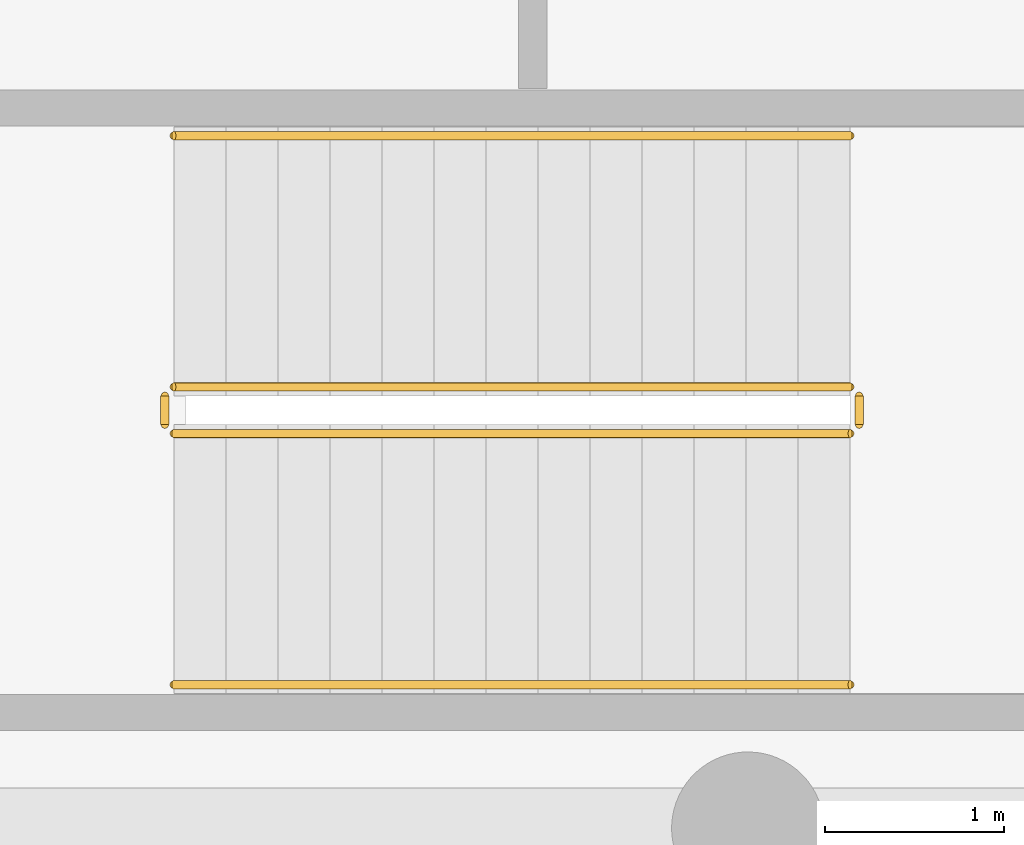
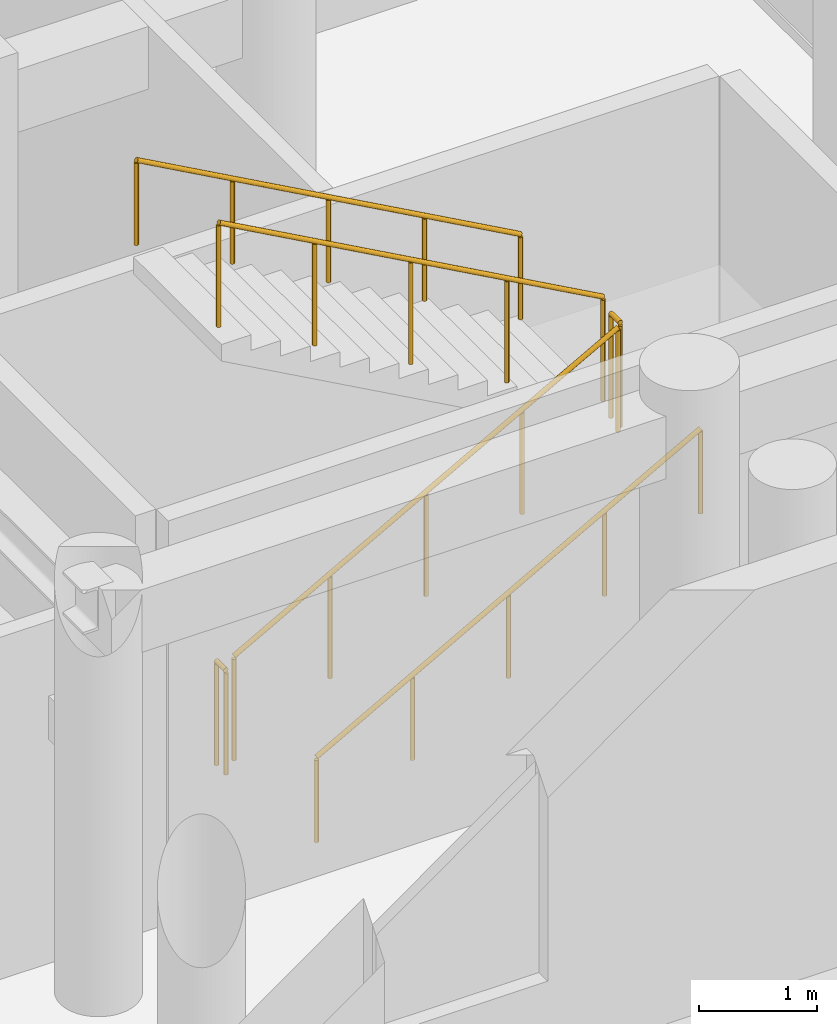
# One storey, part 25 of 26: 6 railings.
"""IFC4 building model written with IfcOpenShell, lengths in metres."""

from ifc_helpers import new_model, si_unit, direction, frame, origin, origin_2d, place, context, subcontext, project, spatial, circle, extrude, material, layer, layer_set, type_object, element, save


model = new_model("IFC4")

# Units and contexts
model_context = context("Model", 3, precision=1e-05, world=origin(), true_north=direction((0.0, 1.0)))
body_context = subcontext(model_context, "Body", "Model", "MODEL_VIEW")
ifc_project = project(units=[si_unit("LENGTHUNIT", "METRE"), si_unit("AREAUNIT", "SQUARE_METRE"), si_unit("VOLUMEUNIT", "CUBIC_METRE"), si_unit("PLANEANGLEUNIT", "RADIAN"), si_unit("MASSUNIT", "GRAM", prefix="KILO")], contexts=[model_context])

# Site, building, storey
site_placement = place(None, origin())
site = spatial("IfcSite", under=ifc_project, at=site_placement, CompositionType="ELEMENT")
building_placement = place(site_placement, origin())
building = spatial("IfcBuilding", under=site, at=building_placement, Name="Karkom Vertical University and Central Library", CompositionType="ELEMENT")
storey_placement = place(building_placement, frame((0.0, 0.0, 9.0)))
storey = spatial("IfcBuildingStorey", under=building, at=storey_placement, Name="L02", CompositionType="ELEMENT", Elevation=9.0)

# Railings
ifc_material_1 = material(Name="Painted galvanised steel balustrade", Category="steel")
ifc_layer_1 = layer(ifc_material_1, 0.06005859375)
ifc_layer_set_1 = layer_set([ifc_layer_1], Name="Painted galvanised steel balustrade")
railing_type_1 = type_object("IfcRailingType", Name="INT-RL-GUARD1100", PredefinedType="GUARDRAIL", material=ifc_layer_set_1)
railing_1_placement = place(storey_placement, frame((72.199951171875, 7.0, 0.16064453125)))
element("IfcRailing", 1, at=railing_1_placement, inside=storey, type_object=railing_type_1, Name="Level 02 LIB-ST1 stair guard 1", PredefinedType="GUARDRAIL", context=body_context, shape_type="SweptSolid", body=[
    extrude(circle(Radius=0.02392578125, at=origin_2d()), frame((0.0, 0.0, 1.076171875), z_axis=(0.874659101714, 0.0, 0.484738543742), x_axis=(0.0, 1.0, 0.0)), (0.0, 0.0, 1.0), 4.310302734375),
    extrude(circle(Radius=0.02099609375, at=origin_2d()), origin(), (0.0, 0.0, 1.0), 1.052001953125),
    extrude(circle(Radius=0.02099609375, at=origin_2d()), frame((0.9423828125, 0.0, 0.5224609375)), (0.0, 0.0, 1.0), 1.052001953125),
    extrude(circle(Radius=0.02099609375, at=origin_2d()), frame((1.885009765625, 0.0, 1.044677734375)), (0.0, 0.0, 1.0), 1.052001953125),
    extrude(circle(Radius=0.02099609375, at=origin_2d()), frame((2.82763671875, 0.0, 1.56689453125)), (0.0, 0.0, 1.0), 1.052001953125),
    extrude(circle(Radius=0.02099609375, at=origin_2d()), frame((3.77001953125, 0.0, 2.08935546875)), (0.0, 0.0, 1.0), 1.052001953125),
])
railing_2_placement = place(storey_placement, frame((76.02001953125, 7.050048828125, 2.25)))
element("IfcRailing", 2, at=railing_2_placement, inside=storey, type_object=railing_type_1, Name="Level 02 LIB-ST1 stair guard 2", PredefinedType="GUARDRAIL", context=body_context, shape_type="SweptSolid", body=[
    extrude(circle(Radius=0.02392578125, at=origin_2d()), frame((0.0, 0.0, 1.076171875), z_axis=(0.0, 1.0, 0.0), x_axis=(-1.0, 0.0, 0.0)), (0.0, 0.0, 1.0), 0.159912109375),
    extrude(circle(Radius=0.02099609375, at=origin_2d()), origin(), (0.0, 0.0, 1.0), 1.052001953125),
    extrude(circle(Radius=0.02099609375, at=origin_2d()), frame((0.0, 0.159912109375, 0.0)), (0.0, 0.0, 1.0), 1.052001953125),
])
railing_3_placement = place(storey_placement, frame((75.969970703125, 7.260009765625, 2.41064453125)))
element("IfcRailing", 3, at=railing_3_placement, inside=storey, type_object=railing_type_1, Name="Level 02 LIB-ST1 stair guard 3", PredefinedType="GUARDRAIL", context=body_context, shape_type="SweptSolid", body=[
    extrude(circle(Radius=0.02392578125, at=origin_2d()), frame((0.0, 0.0, 1.076171875), z_axis=(-0.874659101714, 0.0, 0.484738543742), x_axis=(0.0, -1.0, 0.0)), (0.0, 0.0, 1.0), 4.310302734375),
    extrude(circle(Radius=0.02099609375, at=origin_2d()), origin(), (0.0, 0.0, 1.0), 1.052001953125),
    extrude(circle(Radius=0.02099609375, at=origin_2d()), frame((-0.9423828125, 0.0, 0.5224609375)), (0.0, 0.0, 1.0), 1.052001953125),
    extrude(circle(Radius=0.02099609375, at=origin_2d()), frame((-1.885009765625, 0.0, 1.044677734375)), (0.0, 0.0, 1.0), 1.052001953125),
    extrude(circle(Radius=0.02099609375, at=origin_2d()), frame((-2.82763671875, 0.0, 1.56689453125)), (0.0, 0.0, 1.0), 1.052001953125),
    extrude(circle(Radius=0.02099609375, at=origin_2d()), frame((-3.77001953125, 0.0, 2.08935546875)), (0.0, 0.0, 1.0), 1.052001953125),
])
railing_4_placement = place(storey_placement, frame((72.14990234375, 7.050048828125, 0.0)))
element("IfcRailing", 4, at=railing_4_placement, inside=storey, type_object=railing_type_1, Name="Level 02 LIB-ST1 stair guard 4", PredefinedType="GUARDRAIL", context=body_context, shape_type="SweptSolid", body=[
    extrude(circle(Radius=0.02392578125, at=origin_2d()), frame((0.0, 0.0, 1.076171875), z_axis=(0.0, 1.0, 0.0), x_axis=(-1.0, 0.0, 0.0)), (0.0, 0.0, 1.0), 0.159912109375),
    extrude(circle(Radius=0.02099609375, at=origin_2d()), origin(), (0.0, 0.0, 1.0), 1.052001953125),
    extrude(circle(Radius=0.02099609375, at=origin_2d()), frame((0.0, 0.159912109375, 0.0)), (0.0, 0.0, 1.0), 1.052001953125),
])
ifc_material_2 = material(Name="Brushed stainless-steel tubular handrail", Category="steel")
ifc_layer_2 = layer(ifc_material_2, 0.048095703125)
ifc_layer_set_2 = layer_set([ifc_layer_2], Name="Brushed stainless-steel tubular handrail")
railing_type_2 = type_object("IfcRailingType", Name="INT-RL-HAND920", PredefinedType="HANDRAIL", material=ifc_layer_set_2)
railing_5_placement = place(storey_placement, frame((72.199951171875, 5.60009765625, 0.16064453125)))
element("IfcRailing", 5, at=railing_5_placement, inside=storey, type_object=railing_type_2, Name="Level 02 LIB-ST1 stair handrail 1", PredefinedType="HANDRAIL", context=body_context, shape_type="SweptSolid", body=[
    extrude(circle(Radius=0.02392578125, at=origin_2d()), frame((0.0, 0.0, 0.8759765625), z_axis=(0.874659101714, 0.0, 0.484738543742), x_axis=(0.0, 1.0, 0.0)), (0.0, 0.0, 1.0), 4.310302734375),
    extrude(circle(Radius=0.02099609375, at=origin_2d()), origin(), (0.0, 0.0, 1.0), 0.851806640625),
    extrude(circle(Radius=0.02099609375, at=origin_2d()), frame((0.9423828125, 0.0, 0.5224609375)), (0.0, 0.0, 1.0), 0.851806640625),
    extrude(circle(Radius=0.02099609375, at=origin_2d()), frame((1.885009765625, 0.0, 1.044677734375)), (0.0, 0.0, 1.0), 0.851806640625),
    extrude(circle(Radius=0.02099609375, at=origin_2d()), frame((2.82763671875, 0.0, 1.56689453125)), (0.0, 0.0, 1.0), 0.851806640625),
    extrude(circle(Radius=0.02099609375, at=origin_2d()), frame((3.77001953125, 0.0, 2.08935546875)), (0.0, 0.0, 1.0), 0.851806640625),
])
railing_6_placement = place(storey_placement, frame((75.969970703125, 8.659912109375, 2.41064453125)))
element("IfcRailing", 6, at=railing_6_placement, inside=storey, type_object=railing_type_2, Name="Level 02 LIB-ST1 stair handrail 2", PredefinedType="HANDRAIL", context=body_context, shape_type="SweptSolid", body=[
    extrude(circle(Radius=0.02392578125, at=origin_2d()), frame((0.0, 0.0, 0.8759765625), z_axis=(-0.874659101714, 0.0, 0.484738543742), x_axis=(0.0, -1.0, 0.0)), (0.0, 0.0, 1.0), 4.310302734375),
    extrude(circle(Radius=0.02099609375, at=origin_2d()), origin(), (0.0, 0.0, 1.0), 0.851806640625),
    extrude(circle(Radius=0.02099609375, at=origin_2d()), frame((-0.9423828125, 0.0, 0.5224609375)), (0.0, 0.0, 1.0), 0.851806640625),
    extrude(circle(Radius=0.02099609375, at=origin_2d()), frame((-1.885009765625, 0.0, 1.044677734375)), (0.0, 0.0, 1.0), 0.851806640625),
    extrude(circle(Radius=0.02099609375, at=origin_2d()), frame((-2.82763671875, 0.0, 1.56689453125)), (0.0, 0.0, 1.0), 0.851806640625),
    extrude(circle(Radius=0.02099609375, at=origin_2d()), frame((-3.77001953125, 0.0, 2.08935546875)), (0.0, 0.0, 1.0), 0.851806640625),
])

save(model, "model.ifc")
